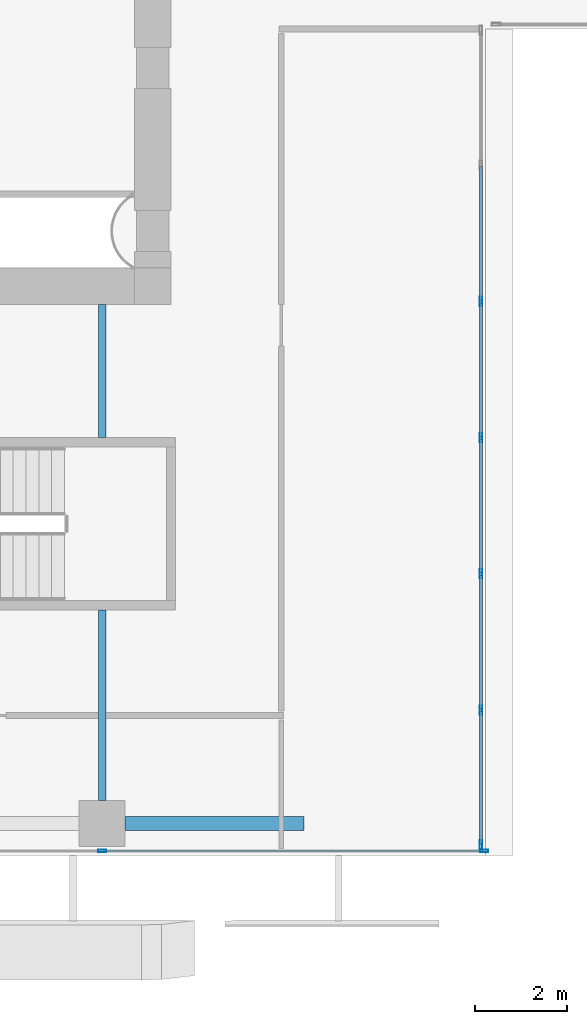
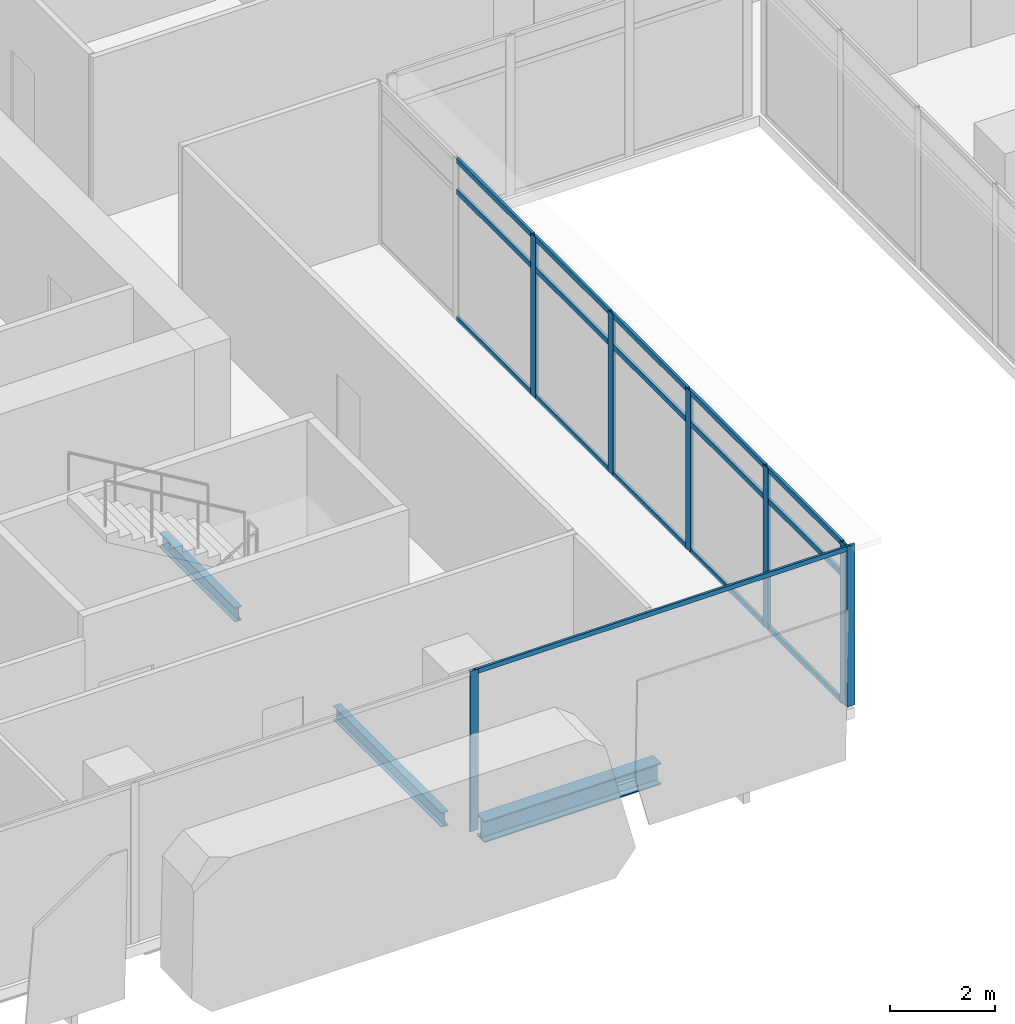
# One storey, part 5 of 40: 23 members, 3 beams, 2 elements without a shape of their own.
"""IFC4 building model written with IfcOpenShell, lengths in metres."""

from ifc_helpers import new_model, si_unit, direction, frame, origin, origin_2d, place, context, subcontext, project, spatial, hollow_rectangle, i_section, extrude, source, transform, mapped, material, material_profile, profile_set, type_object, element, aggregate, save


model = new_model("IFC4")

# Units and contexts
model_context = context("Model", 3, precision=1e-05, world=origin(), true_north=direction((0.0, 1.0)))
body_context = subcontext(model_context, "Body", "Model", "MODEL_VIEW")
ifc_project = project(units=[si_unit("LENGTHUNIT", "METRE"), si_unit("AREAUNIT", "SQUARE_METRE"), si_unit("VOLUMEUNIT", "CUBIC_METRE"), si_unit("PLANEANGLEUNIT", "RADIAN"), si_unit("MASSUNIT", "GRAM", prefix="KILO")], contexts=[model_context])

# Site, building, storey
site_placement = place(None, origin())
site = spatial("IfcSite", under=ifc_project, at=site_placement, CompositionType="ELEMENT")
building_placement = place(site_placement, origin())
building = spatial("IfcBuilding", under=site, at=building_placement, Name="Khomas Fold Tower", CompositionType="ELEMENT")
storey_placement = place(building_placement, frame((0.0, 0.0, 180.699951171875)))
storey = spatial("IfcBuildingStorey", under=building, at=storey_placement, Name="L39", CompositionType="ELEMENT", Elevation=180.699951171875)

# Beams
ifc_material_1 = material(Name="Steel S355", Category="steel")
ifc_material_profile_1 = material_profile(ifc_material_1, i_section(OverallWidth=0.300048828125, OverallDepth=0.5, WebThickness=0.014404296875, FlangeThickness=0.028076171875, at=origin_2d()), Name="HE 500 B")
ifc_profile_set_1 = profile_set([ifc_material_profile_1], Name="Steel S355")
beam_type_1 = type_object("IfcBeamType", Name="HE 500 B spandrel SB3", PredefinedType="SPANDREL", material=ifc_profile_set_1)
shared_shape_1 = source(origin(), body_context, "Body", "SweptSolid", [
    extrude(i_section(OverallWidth=0.300048828125, OverallDepth=0.5, WebThickness=0.014404296875, FlangeThickness=0.028076171875, at=origin_2d()), origin(), (0.0, 0.0, 1.0), 3.89990234375),
])
beam_1_placement = place(storey_placement, frame((20.0, 3.699951171875, -0.5), z_axis=(1.0, 0.0, 0.0), x_axis=(0.0, 1.0, 0.0)))
element("IfcBeam", 1, at=beam_1_placement, inside=storey, type_object=beam_type_1, Name="SB3", PredefinedType="SPANDREL", context=body_context, shape_type="MappedRepresentation", body=[
    mapped(shared_shape_1, transform((0.0, 0.0, 0.0))),
])
ifc_material_2 = material(Name="Steel S355", Category="steel")
ifc_material_profile_2 = material_profile(ifc_material_2, i_section(OverallWidth=0.159912109375, OverallDepth=0.330078125, WebThickness=0.007568359375, FlangeThickness=0.011474609375, at=origin_2d()), Name="IPE 330")
ifc_profile_set_2 = profile_set([ifc_material_profile_2], Name="Steel S355")
beam_type_2 = type_object("IfcBeamType", Name="IPE 330 beam JB1", PredefinedType="BEAM", material=ifc_profile_set_2)
shared_shape_2 = source(origin(), body_context, "Body", "SweptSolid", [
    extrude(i_section(OverallWidth=0.159912109375, OverallDepth=0.330078125, WebThickness=0.007568359375, FlangeThickness=0.011474609375, at=origin_2d()), origin(), (0.0, 0.0, 1.0), 4.150146484375),
])
beam_2_placement = place(storey_placement, frame((19.5, 4.199951171875, -0.4150390625), z_axis=(0.0, 1.0, 0.0), x_axis=(-1.0, 0.0, 0.0)))
element("IfcBeam", 2, at=beam_2_placement, inside=storey, type_object=beam_type_2, Name="JB1", PredefinedType="BEAM", context=body_context, shape_type="MappedRepresentation", body=[
    mapped(shared_shape_2, transform((0.0, 0.0, 0.0))),
])
shared_shape_3 = source(origin(), body_context, "Body", "SweptSolid", [
    extrude(i_section(OverallWidth=0.159912109375, OverallDepth=0.330078125, WebThickness=0.007568359375, FlangeThickness=0.011474609375, at=origin_2d()), origin(), (0.0, 0.0, 1.0), 2.89990234375),
])
beam_3_placement = place(storey_placement, frame((19.5, 12.10009765625, -0.4150390625), z_axis=(0.0, 1.0, 0.0), x_axis=(-1.0, 0.0, 0.0)))
element("IfcBeam", 3, at=beam_3_placement, inside=storey, type_object=beam_type_2, Name="JB1", PredefinedType="BEAM", context=body_context, shape_type="MappedRepresentation", body=[
    mapped(shared_shape_3, transform((0.0, 0.0, 0.0))),
])

# Curtain wall, members
ifc_material_3 = material(Name="Aluminium framed double glazing", Category="aluminium")
curtain_wall_type_1 = type_object("IfcCurtainWallType", Name="SK-Unitised clear-glass wall, office floors CW2", PredefinedType="NOTDEFINED", material=ifc_material_3)
curtain_wall_1_placement = place(storey_placement, origin())
curtain_wall_1 = element("IfcCurtainWall", 4, at=curtain_wall_1_placement, inside=storey, type_object=curtain_wall_type_1, Name="CW2 run L39 01-0", PredefinedType="NOTDEFINED")
ifc_material_4 = material(Name="Aluminium", Category="aluminium")
ifc_material_profile_3 = material_profile(ifc_material_4, hollow_rectangle(XDim=0.06005859375, YDim=0.179931640625, WallThickness=0.00390625, at=origin_2d()), Name="SK-Unitised clear-glass wall, office floors mullion CW2-M")
ifc_profile_set_3 = profile_set([ifc_material_profile_3], Name="Aluminium")
member_type_1 = type_object("IfcMemberType", Name="SK-Unitised clear-glass wall, office floors mullion CW2-M", PredefinedType="MULLION", material=ifc_profile_set_3)
shared_shape_4 = source(origin(), body_context, "Body", "SweptSolid", [
    extrude(hollow_rectangle(XDim=0.06005859375, YDim=0.179931640625, WallThickness=0.00390625, at=origin_2d()), origin(), (0.0, 0.0, 1.0), 3.75),
])
member_1_placement = place(storey_placement, frame((19.5, 3.10009765625, 0.0), z_axis=(0.0, 0.0, 1.0), x_axis=(0.0, 1.0, 0.0)))
member_1 = element("IfcMember", 5, at=member_1_placement, type_object=member_type_1, Name="CW2 mullion 4", PredefinedType="MULLION", context=body_context, shape_type="MappedRepresentation", body=[
    mapped(shared_shape_4, transform((0.0, 0.0, 0.0))),
])
member_2_placement = place(storey_placement, frame((27.820068359375, 3.10009765625, 0.0), z_axis=(0.0, 0.0, 1.0), x_axis=(0.0, 1.0, 0.0)))
member_2 = element("IfcMember", 6, at=member_2_placement, type_object=member_type_1, Name="CW2 mullion 5", PredefinedType="MULLION", context=body_context, shape_type="MappedRepresentation", body=[
    mapped(shared_shape_4, transform((0.0, 0.0, 0.0))),
])
ifc_material_5 = material(Name="Aluminium", Category="aluminium")
ifc_material_profile_4 = material_profile(ifc_material_5, hollow_rectangle(XDim=0.050048828125, YDim=0.110107421875, WallThickness=0.00390625, at=origin_2d()), Name="SK-Unitised clear-glass wall, office floors transom CW2-T")
ifc_profile_set_4 = profile_set([ifc_material_profile_4], Name="Aluminium")
member_type_2 = type_object("IfcMemberType", Name="SK-Unitised clear-glass wall, office floors transom CW2-T", PredefinedType="USERDEFINED", material=ifc_profile_set_4)
shared_shape_5 = source(origin(), body_context, "Body", "SweptSolid", [
    extrude(hollow_rectangle(XDim=0.050048828125, YDim=0.110107421875, WallThickness=0.00390625, at=origin_2d()), origin(), (0.0, 0.0, 1.0), 8.260009765625),
])
member_3_placement = place(storey_placement, frame((19.530029296875, 3.10009765625, 3.695068359375), z_axis=(1.0, 0.0, 0.0), x_axis=(0.0, 1.0, 0.0)))
member_3 = element("IfcMember", 7, at=member_3_placement, type_object=member_type_2, Name="CW2 transom 4", ObjectType="TRANSOM", PredefinedType="USERDEFINED", context=body_context, shape_type="MappedRepresentation", body=[
    mapped(shared_shape_5, transform((0.0, 0.0, 0.0))),
])
aggregate(curtain_wall_1, [member_1, member_2, member_3])

ifc_material_6 = material(Name="Aluminium framed double glazing", Category="aluminium")
curtain_wall_type_2 = type_object("IfcCurtainWallType", Name="Notch glazing GN-CW", PredefinedType="NOTDEFINED", material=ifc_material_6)
curtain_wall_2_placement = place(storey_placement, origin())
curtain_wall_2 = element("IfcCurtainWall", 8, at=curtain_wall_2_placement, inside=storey, type_object=curtain_wall_type_2, Name="Notch glazing run", PredefinedType="NOTDEFINED")
ifc_material_7 = material(Name="Aluminium", Category="aluminium")
ifc_material_profile_5 = material_profile(ifc_material_7, hollow_rectangle(XDim=0.06005859375, YDim=0.1201171875, WallThickness=0.00390625, at=origin_2d()), Name="Notch glazing transom GN-CW-T")
ifc_profile_set_5 = profile_set([ifc_material_profile_5], Name="Aluminium")
member_type_3 = type_object("IfcMemberType", Name="Notch glazing transom GN-CW-T", PredefinedType="USERDEFINED", material=ifc_profile_set_5)
shared_shape_6 = source(origin(), body_context, "Body", "SweptSolid", [
    extrude(hollow_rectangle(XDim=0.06005859375, YDim=0.1201171875, WallThickness=0.00390625, at=origin_2d()), origin(), (0.0, 0.0, 1.0), 2.876708984375),
])
member_4_placement = place(storey_placement, frame((27.75, 3.260009765625, 0.030029296875), z_axis=(0.0, 1.0, 0.0), x_axis=(-1.0, 0.0, 0.0)))
member_4 = element("IfcMember", 9, at=member_4_placement, type_object=member_type_3, Name="GN-CW transom 1.1", ObjectType="TRANSOM", PredefinedType="USERDEFINED", context=body_context, shape_type="MappedRepresentation", body=[
    mapped(shared_shape_6, transform((0.0, 0.0, 0.0))),
])
member_5_placement = place(storey_placement, frame((27.75, 3.260009765625, 3.0), z_axis=(0.0, 1.0, 0.0), x_axis=(-1.0, 0.0, 0.0)))
member_5 = element("IfcMember", 10, at=member_5_placement, type_object=member_type_3, Name="GN-CW transom 1.2", ObjectType="TRANSOM", PredefinedType="USERDEFINED", context=body_context, shape_type="MappedRepresentation", body=[
    mapped(shared_shape_6, transform((0.0, 0.0, 0.0))),
])
member_6_placement = place(storey_placement, frame((27.75, 3.260009765625, 3.719970703125), z_axis=(0.0, 1.0, 0.0), x_axis=(-1.0, 0.0, 0.0)))
member_6 = element("IfcMember", 11, at=member_6_placement, type_object=member_type_3, Name="GN-CW transom 1.3", ObjectType="TRANSOM", PredefinedType="USERDEFINED", context=body_context, shape_type="MappedRepresentation", body=[
    mapped(shared_shape_6, transform((0.0, 0.0, 0.0))),
])
shared_shape_7 = source(origin(), body_context, "Body", "SweptSolid", [
    extrude(hollow_rectangle(XDim=0.06005859375, YDim=0.1201171875, WallThickness=0.00390625, at=origin_2d()), origin(), (0.0, 0.0, 1.0), 2.90673828125),
])
member_7_placement = place(storey_placement, frame((27.75, 9.163330078125, 0.030029296875), z_axis=(0.0, 1.0, 0.0), x_axis=(-1.0, 0.0, 0.0)))
member_7 = element("IfcMember", 12, at=member_7_placement, type_object=member_type_3, Name="GN-CW transom 3.1", ObjectType="TRANSOM", PredefinedType="USERDEFINED", context=body_context, shape_type="MappedRepresentation", body=[
    mapped(shared_shape_7, transform((0.0, 0.0, 0.0))),
])
member_8_placement = place(storey_placement, frame((27.75, 9.163330078125, 3.0), z_axis=(0.0, 1.0, 0.0), x_axis=(-1.0, 0.0, 0.0)))
member_8 = element("IfcMember", 13, at=member_8_placement, type_object=member_type_3, Name="GN-CW transom 3.2", ObjectType="TRANSOM", PredefinedType="USERDEFINED", context=body_context, shape_type="MappedRepresentation", body=[
    mapped(shared_shape_7, transform((0.0, 0.0, 0.0))),
])
member_9_placement = place(storey_placement, frame((27.75, 9.163330078125, 3.719970703125), z_axis=(0.0, 1.0, 0.0), x_axis=(-1.0, 0.0, 0.0)))
member_9 = element("IfcMember", 14, at=member_9_placement, type_object=member_type_3, Name="GN-CW transom 3.3", ObjectType="TRANSOM", PredefinedType="USERDEFINED", context=body_context, shape_type="MappedRepresentation", body=[
    mapped(shared_shape_7, transform((0.0, 0.0, 0.0))),
])
member_10_placement = place(storey_placement, frame((27.75, 12.1298828125, 0.030029296875), z_axis=(0.0, 1.0, 0.0), x_axis=(-1.0, 0.0, 0.0)))
member_10 = element("IfcMember", 15, at=member_10_placement, type_object=member_type_3, Name="GN-CW transom 4.1", ObjectType="TRANSOM", PredefinedType="USERDEFINED", context=body_context, shape_type="MappedRepresentation", body=[
    mapped(shared_shape_7, transform((0.0, 0.0, 0.0))),
])
member_11_placement = place(storey_placement, frame((27.75, 12.1298828125, 3.0), z_axis=(0.0, 1.0, 0.0), x_axis=(-1.0, 0.0, 0.0)))
member_11 = element("IfcMember", 16, at=member_11_placement, type_object=member_type_3, Name="GN-CW transom 4.2", ObjectType="TRANSOM", PredefinedType="USERDEFINED", context=body_context, shape_type="MappedRepresentation", body=[
    mapped(shared_shape_7, transform((0.0, 0.0, 0.0))),
])
member_12_placement = place(storey_placement, frame((27.75, 12.1298828125, 3.719970703125), z_axis=(0.0, 1.0, 0.0), x_axis=(-1.0, 0.0, 0.0)))
member_12 = element("IfcMember", 17, at=member_12_placement, type_object=member_type_3, Name="GN-CW transom 4.3", ObjectType="TRANSOM", PredefinedType="USERDEFINED", context=body_context, shape_type="MappedRepresentation", body=[
    mapped(shared_shape_7, transform((0.0, 0.0, 0.0))),
])
member_13_placement = place(storey_placement, frame((27.75, 15.0966796875, 0.030029296875), z_axis=(0.0, 1.0, 0.0), x_axis=(-1.0, 0.0, 0.0)))
member_13 = element("IfcMember", 18, at=member_13_placement, type_object=member_type_3, Name="GN-CW transom 5.1", ObjectType="TRANSOM", PredefinedType="USERDEFINED", context=body_context, shape_type="MappedRepresentation", body=[
    mapped(shared_shape_7, transform((0.0, 0.0, 0.0))),
])
member_14_placement = place(storey_placement, frame((27.75, 15.0966796875, 3.0), z_axis=(0.0, 1.0, 0.0), x_axis=(-1.0, 0.0, 0.0)))
member_14 = element("IfcMember", 19, at=member_14_placement, type_object=member_type_3, Name="GN-CW transom 5.2", ObjectType="TRANSOM", PredefinedType="USERDEFINED", context=body_context, shape_type="MappedRepresentation", body=[
    mapped(shared_shape_7, transform((0.0, 0.0, 0.0))),
])
member_15_placement = place(storey_placement, frame((27.75, 15.0966796875, 3.719970703125), z_axis=(0.0, 1.0, 0.0), x_axis=(-1.0, 0.0, 0.0)))
member_15 = element("IfcMember", 20, at=member_15_placement, type_object=member_type_3, Name="GN-CW transom 5.3", ObjectType="TRANSOM", PredefinedType="USERDEFINED", context=body_context, shape_type="MappedRepresentation", body=[
    mapped(shared_shape_7, transform((0.0, 0.0, 0.0))),
])
shared_shape_8 = source(origin(), body_context, "Body", "SweptSolid", [
    extrude(hollow_rectangle(XDim=0.06005859375, YDim=0.1201171875, WallThickness=0.00390625, at=origin_2d()), origin(), (0.0, 0.0, 1.0), 2.906494140625),
])
member_16_placement = place(storey_placement, frame((27.75, 6.19677734375, 0.030029296875), z_axis=(0.0, 1.0, 0.0), x_axis=(-1.0, 0.0, 0.0)))
member_16 = element("IfcMember", 21, at=member_16_placement, type_object=member_type_3, Name="GN-CW transom 2.1", ObjectType="TRANSOM", PredefinedType="USERDEFINED", context=body_context, shape_type="MappedRepresentation", body=[
    mapped(shared_shape_8, transform((0.0, 0.0, 0.0))),
])
member_17_placement = place(storey_placement, frame((27.75, 6.19677734375, 3.0), z_axis=(0.0, 1.0, 0.0), x_axis=(-1.0, 0.0, 0.0)))
member_17 = element("IfcMember", 22, at=member_17_placement, type_object=member_type_3, Name="GN-CW transom 2.2", ObjectType="TRANSOM", PredefinedType="USERDEFINED", context=body_context, shape_type="MappedRepresentation", body=[
    mapped(shared_shape_8, transform((0.0, 0.0, 0.0))),
])
member_18_placement = place(storey_placement, frame((27.75, 6.19677734375, 3.719970703125), z_axis=(0.0, 1.0, 0.0), x_axis=(-1.0, 0.0, 0.0)))
member_18 = element("IfcMember", 23, at=member_18_placement, type_object=member_type_3, Name="GN-CW transom 2.3", ObjectType="TRANSOM", PredefinedType="USERDEFINED", context=body_context, shape_type="MappedRepresentation", body=[
    mapped(shared_shape_8, transform((0.0, 0.0, 0.0))),
])
ifc_material_8 = material(Name="Aluminium", Category="aluminium")
ifc_material_profile_6 = material_profile(ifc_material_8, hollow_rectangle(XDim=0.06005859375, YDim=0.199951171875, WallThickness=0.00390625, at=origin_2d()), Name="Notch glazing mullion GN-CW-M")
ifc_profile_set_6 = profile_set([ifc_material_profile_6], Name="Aluminium")
member_type_4 = type_object("IfcMemberType", Name="Notch glazing mullion GN-CW-M", PredefinedType="MULLION", material=ifc_profile_set_6)
shared_shape_9 = source(origin(), body_context, "Body", "SweptSolid", [
    extrude(hollow_rectangle(XDim=0.06005859375, YDim=0.199951171875, WallThickness=0.00390625, at=origin_2d()), origin(), (0.0, 0.0, 1.0), 3.75),
])
member_19_placement = place(storey_placement, frame((27.75, 3.22998046875, 0.0), z_axis=(0.0, 0.0, 1.0), x_axis=(-1.0, 0.0, 0.0)))
member_19 = element("IfcMember", 24, at=member_19_placement, type_object=member_type_4, Name="GN-CW mullion 1", PredefinedType="MULLION", context=body_context, shape_type="MappedRepresentation", body=[
    mapped(shared_shape_9, transform((0.0, 0.0, 0.0))),
])
member_20_placement = place(storey_placement, frame((27.75, 6.166748046875, 0.0), z_axis=(0.0, 0.0, 1.0), x_axis=(-1.0, 0.0, 0.0)))
member_20 = element("IfcMember", 25, at=member_20_placement, type_object=member_type_4, Name="GN-CW mullion 2", PredefinedType="MULLION", context=body_context, shape_type="MappedRepresentation", body=[
    mapped(shared_shape_9, transform((0.0, 0.0, 0.0))),
])
member_21_placement = place(storey_placement, frame((27.75, 9.13330078125, 0.0), z_axis=(0.0, 0.0, 1.0), x_axis=(-1.0, 0.0, 0.0)))
member_21 = element("IfcMember", 26, at=member_21_placement, type_object=member_type_4, Name="GN-CW mullion 3", PredefinedType="MULLION", context=body_context, shape_type="MappedRepresentation", body=[
    mapped(shared_shape_9, transform((0.0, 0.0, 0.0))),
])
member_22_placement = place(storey_placement, frame((27.75, 12.10009765625, 0.0), z_axis=(0.0, 0.0, 1.0), x_axis=(-1.0, 0.0, 0.0)))
member_22 = element("IfcMember", 27, at=member_22_placement, type_object=member_type_4, Name="GN-CW mullion 4", PredefinedType="MULLION", context=body_context, shape_type="MappedRepresentation", body=[
    mapped(shared_shape_9, transform((0.0, 0.0, 0.0))),
])
member_23_placement = place(storey_placement, frame((27.75, 15.066650390625, 0.0), z_axis=(0.0, 0.0, 1.0), x_axis=(-1.0, 0.0, 0.0)))
member_23 = element("IfcMember", 28, at=member_23_placement, type_object=member_type_4, Name="GN-CW mullion 5", PredefinedType="MULLION", context=body_context, shape_type="MappedRepresentation", body=[
    mapped(shared_shape_9, transform((0.0, 0.0, 0.0))),
])
aggregate(curtain_wall_2, [member_19, member_20, member_21, member_22, member_23, member_4, member_5, member_6, member_16, member_17, member_18, member_7, member_8, member_9, member_10, member_11, member_12, member_13, member_14, member_15])

save(model, "model.ifc")
